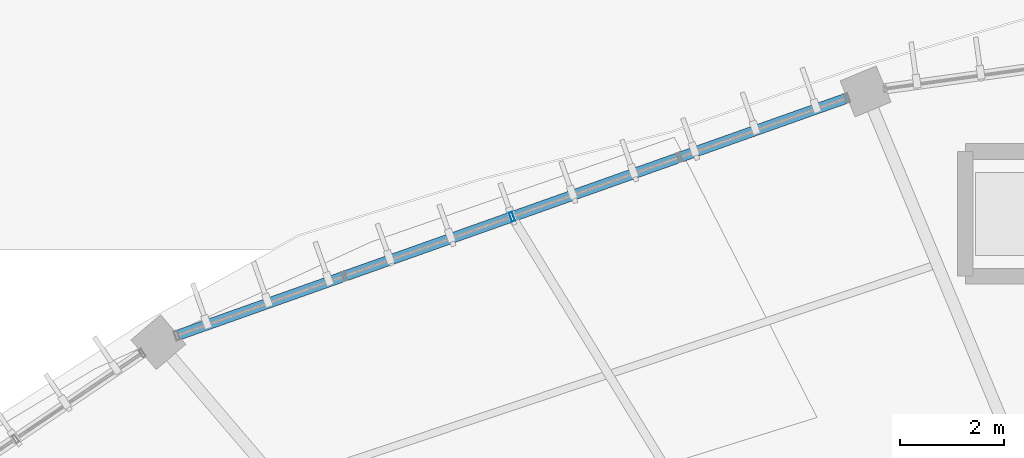
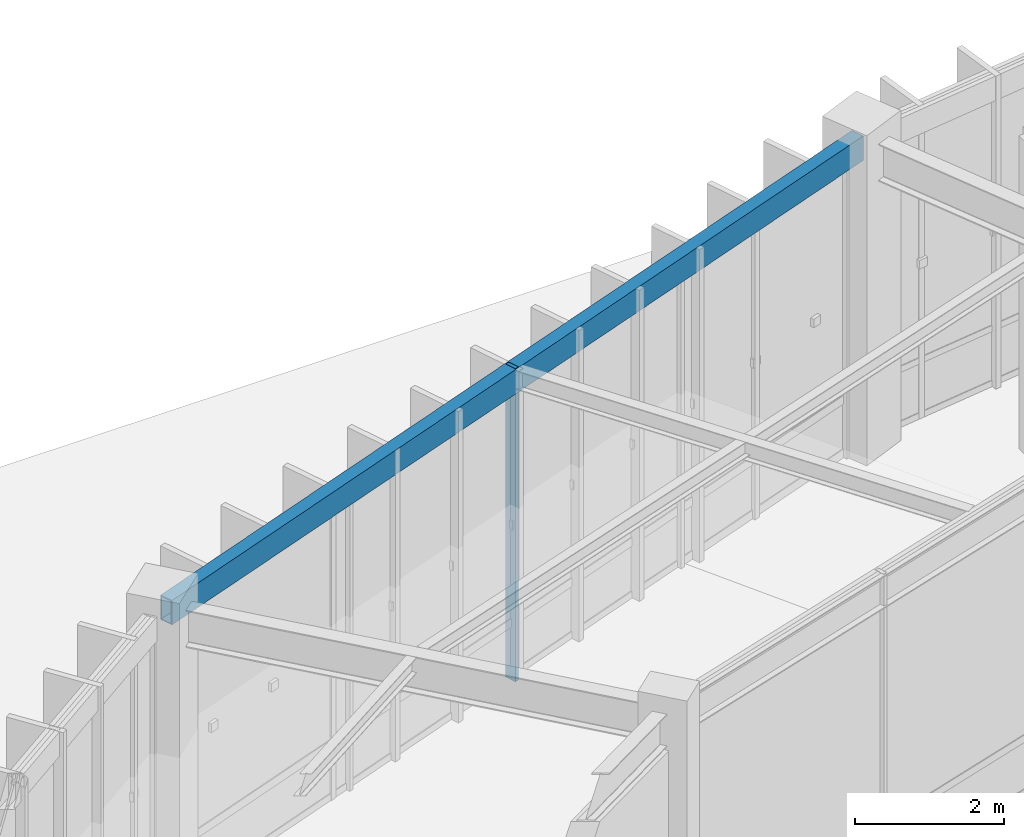
# One storey, part 55 of 157: 1 beam, 1 member, 1 element without a shape of its own.
"""IFC4 building model written with IfcOpenShell, lengths in metres."""

from ifc_helpers import new_model, si_unit, direction, frame, origin, origin_2d, place, context, subcontext, project, spatial, hollow_rectangle, extrude, material, material_profile, profile_set, type_object, element, aggregate, save


model = new_model("IFC4")

# Units and contexts
model_context = context("Model", 3, precision=1e-05, world=origin(), true_north=direction((0.0, 1.0)))
body_context = subcontext(model_context, "Body", "Model", "MODEL_VIEW")
ifc_project = project(units=[si_unit("LENGTHUNIT", "METRE"), si_unit("AREAUNIT", "SQUARE_METRE"), si_unit("VOLUMEUNIT", "CUBIC_METRE"), si_unit("PLANEANGLEUNIT", "RADIAN"), si_unit("MASSUNIT", "GRAM", prefix="KILO"), si_unit("THERMODYNAMICTEMPERATUREUNIT", "KELVIN"), si_unit("POWERUNIT", "WATT")], contexts=[model_context])

# Site, building, storey
site_placement = place(None, origin())
site = spatial("IfcSite", under=ifc_project, at=site_placement, CompositionType="ELEMENT")
building_placement = place(site_placement, origin())
building = spatial("IfcBuilding", under=site, at=building_placement, Name="Darbajah Civic Hall", CompositionType="ELEMENT")
storey_placement = place(building_placement, origin())
storey = spatial("IfcBuildingStorey", under=building, at=storey_placement, Name="L00", CompositionType="ELEMENT", Elevation=0.0)

# Curtain wall, member
ifc_material_1 = material(Name="Anodised Bronze Aluminium and Low-E Glazing", Category="aluminium")
curtain_wall_type = type_object("IfcCurtainWallType", Name="Unitised Curtain Wall CW-06 13700x5100", PredefinedType="USERDEFINED", material=ifc_material_1)
curtain_wall_placement = place(storey_placement, origin())
curtain_wall = element("IfcCurtainWall", 1, at=curtain_wall_placement, inside=storey, type_object=curtain_wall_type, Name="L00 unitised curtain wall CW-V1O-L00-06", ObjectType="UNITISED CURTAIN WALL", PredefinedType="USERDEFINED")
ifc_material_2 = material(Name="Anodised Bronze Aluminium", Category="aluminium")
ifc_material_profile_1 = material_profile(ifc_material_2, hollow_rectangle(XDim=0.06494140625, YDim=0.179931640625, WallThickness=0.00390625, at=origin_2d()), Name="ALU MULLION 65x180")
ifc_profile_set_1 = profile_set([ifc_material_profile_1], Name="Anodised Bronze Aluminium")
member_type = type_object("IfcMemberType", Name="ALU MULLION 65x180", PredefinedType="MULLION", material=ifc_profile_set_1)
member_placement = place(storey_placement, frame((62.780517578125, 114.643310546875, 0.0), z_axis=(0.0, 0.0, 1.0), x_axis=(-0.94252491309, -0.334135882844, 0.0)))
member = element("IfcMember", 2, at=member_placement, type_object=member_type, Name="CW-V1O-L00-06 mullion 3", PredefinedType="MULLION", context=body_context, shape_type="SweptSolid", body=[
    extrude(hollow_rectangle(XDim=0.06494140625, YDim=0.179931640625, WallThickness=0.00390625, at=origin_2d()), origin(), (0.0, 0.0, 1.0), 5.1201171875),
])
aggregate(curtain_wall, [member])

# Beam
ifc_material_3 = material(Name="Steel S355JR", Category="steel")
ifc_material_profile_2 = material_profile(ifc_material_3, hollow_rectangle(XDim=0.199951171875, YDim=0.39990234375, WallThickness=0.013916015625, at=origin_2d()), Name="RHS 400x200x14")
ifc_profile_set_2 = profile_set([ifc_material_profile_2], Name="Steel S355JR")
beam_type = type_object("IfcBeamType", Name="RHS 400x200x14", PredefinedType="SPANDREL", material=ifc_profile_set_2)
beam_placement = place(storey_placement, frame((69.5078125, 117.027587890625, 4.919921875), z_axis=(-0.942545228917, -0.334078570768, 0.0), x_axis=(0.334078570768, -0.942545228917, 0.0)))
element("IfcBeam", 3, at=beam_placement, inside=storey, type_object=beam_type, Name="L00 beam SP-RHS400", PredefinedType="SPANDREL", context=body_context, shape_type="SweptSolid", body=[
    extrude(hollow_rectangle(XDim=0.199951171875, YDim=0.39990234375, WallThickness=0.013916015625, at=origin_2d()), origin(), (0.0, 0.0, 1.0), 14.2744140625),
])

save(model, "model.ifc")
